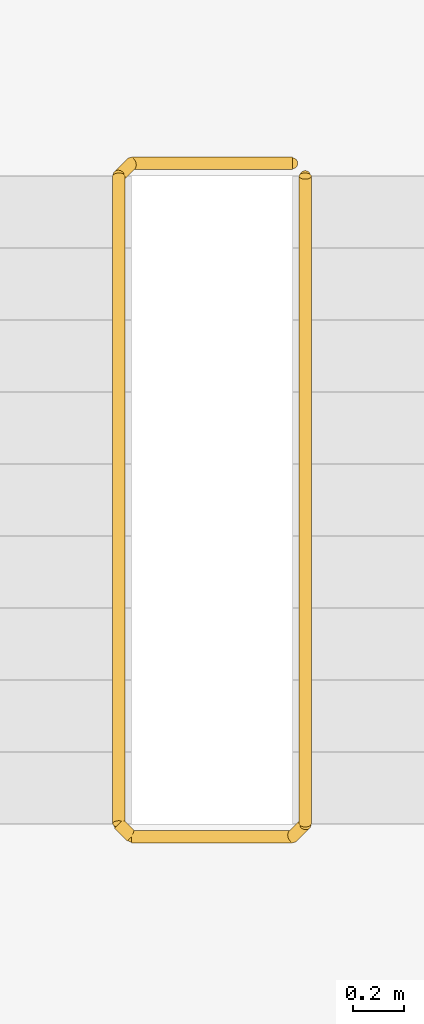
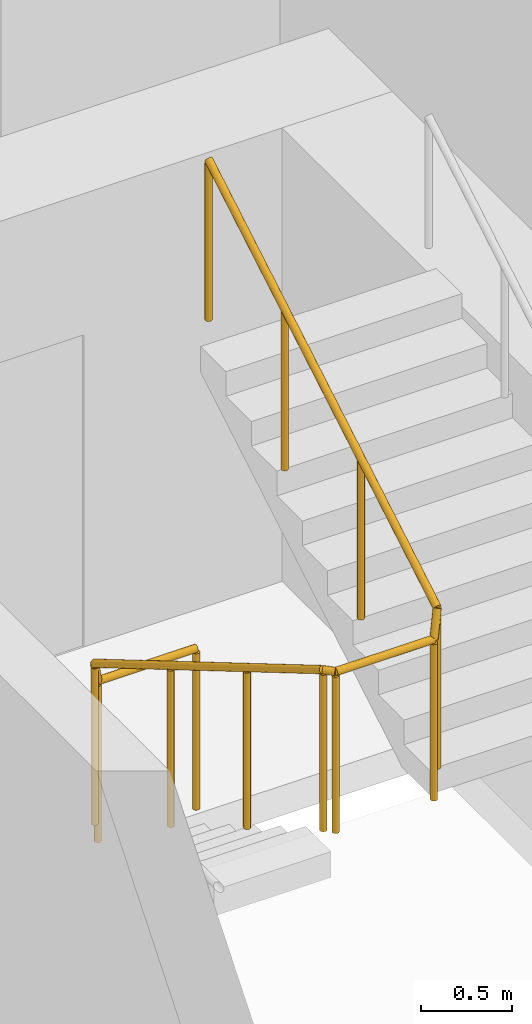
# One storey, part 10 of 11: 1 railing.
"""IFC4 building model written with IfcOpenShell, lengths in metres."""

from ifc_helpers import new_model, si_unit, direction, frame, origin, origin_2d, place, context, subcontext, project, spatial, circle, extrude, material, type_object, element, save


model = new_model("IFC4")

# Units and contexts
model_context = context("Model", 3, precision=1e-05, world=origin(), true_north=direction((0.0, 1.0)))
body_context = subcontext(model_context, "Body", "Model", "MODEL_VIEW")
ifc_project = project(units=[si_unit("LENGTHUNIT", "METRE"), si_unit("AREAUNIT", "SQUARE_METRE"), si_unit("VOLUMEUNIT", "CUBIC_METRE"), si_unit("PLANEANGLEUNIT", "RADIAN"), si_unit("MASSUNIT", "GRAM", prefix="KILO")], contexts=[model_context])

# Site, building, storey
site_placement = place(None, origin())
site = spatial("IfcSite", under=ifc_project, at=site_placement, CompositionType="ELEMENT")
building_placement = place(site_placement, origin())
building = spatial("IfcBuilding", under=site, at=building_placement, Name="Amberfall Residences", CompositionType="ELEMENT")
storey_placement = place(building_placement, frame((0.0, 0.0, 171.39990234375)))
storey = spatial("IfcBuildingStorey", under=building, at=storey_placement, Name="L46", CompositionType="ELEMENT", Elevation=171.39990234375)

# Railing
ifc_material = material(Name="Stainless steel 316", Category="steel")
railing_type = type_object("IfcRailingType", Name="Stair guard 1100", PredefinedType="GUARDRAIL", material=ifc_material)
railing_placement = place(storey_placement, frame((84.300048828125, 55.14990234375, 0.0)))
element("IfcRailing", 1, at=railing_placement, inside=storey, type_object=railing_type, Name="L46 stair 3 guard", PredefinedType="GUARDRAIL", context=body_context, shape_type="SweptSolid", body=[
    extrude(circle(Radius=0.02392578125, at=origin_2d()), frame((0.0, 0.0, 1.076171875), z_axis=(-1.0, 0.0, 0.0), x_axis=(0.0, -1.0, 0.0)), (0.0, 0.0, 1.0), 0.625),
    extrude(circle(Radius=0.02392578125, at=origin_2d()), frame((-0.625, 0.0, 1.076171875), z_axis=(-0.278810427259, -0.277450376394, 0.919394384522), x_axis=(0.705375805398, -0.708833529934, 0.0)), (0.0, 0.0, 1.0), 0.179443359375),
    extrude(circle(Radius=0.02392578125, at=origin_2d()), frame((-0.675048828125, -0.0498046875, 1.2412109375), z_axis=(0.0, -0.86152411907, 0.507716645641), x_axis=(1.0, 0.0, 0.0)), (0.0, 0.0, 1.0), 2.925048828125),
    extrude(circle(Radius=0.02392578125, at=origin_2d()), frame((-0.675048828125, -2.56982421875, 2.72607421875), z_axis=(0.707106781187, -0.707106781187, 0.0), x_axis=(0.707106781187, 0.707106781187, 0.0)), (0.0, 0.0, 1.0), 0.07080078125),
    extrude(circle(Radius=0.02392578125, at=origin_2d()), frame((-0.625, -2.619873046875, 2.72607421875), z_axis=(1.0, 0.0, 0.0), x_axis=(0.0, 1.0, 0.0)), (0.0, 0.0, 1.0), 0.625),
    extrude(circle(Radius=0.02392578125, at=origin_2d()), frame((0.0, -2.619873046875, 2.72607421875), z_axis=(0.278705021027, 0.278705021027, 0.919046801044), x_axis=(-0.707106781187, 0.707106781187, 0.0)), (0.0, 0.0, 1.0), 0.1796875),
    extrude(circle(Radius=0.02392578125, at=origin_2d()), frame((0.050048828125, -2.56982421875, 2.89111328125), z_axis=(0.0, 0.861560626758, 0.507654692109), x_axis=(-1.0, 0.0, 0.0)), (0.0, 0.0, 1.0), 2.925048828125),
    extrude(circle(Radius=0.02099609375, at=origin_2d()), origin(), (0.0, 0.0, 1.0), 1.052001953125),
    extrude(circle(Radius=0.02099609375, at=origin_2d()), frame((-0.625, 0.0, 0.0)), (0.0, 0.0, 1.0), 1.052001953125),
    extrude(circle(Radius=0.02099609375, at=origin_2d()), frame((-0.675048828125, -0.0498046875, 0.1650390625)), (0.0, 0.0, 1.0), 1.052001953125),
    extrude(circle(Radius=0.02099609375, at=origin_2d()), frame((-0.675048828125, -0.889892578125, 0.66015625)), (0.0, 0.0, 1.0), 1.052001953125),
    extrude(circle(Radius=0.02099609375, at=origin_2d()), frame((-0.675048828125, -1.729736328125, 1.155029296875)), (0.0, 0.0, 1.0), 1.052001953125),
    extrude(circle(Radius=0.02099609375, at=origin_2d()), frame((-0.675048828125, -2.56982421875, 1.650146484375)), (0.0, 0.0, 1.0), 1.052001953125),
    extrude(circle(Radius=0.02099609375, at=origin_2d()), frame((-0.625, -2.619873046875, 1.650146484375)), (0.0, 0.0, 1.0), 1.052001953125),
    extrude(circle(Radius=0.02099609375, at=origin_2d()), frame((0.0, -2.619873046875, 1.650146484375)), (0.0, 0.0, 1.0), 1.052001953125),
    extrude(circle(Radius=0.02099609375, at=origin_2d()), frame((0.050048828125, -2.56982421875, 1.815185546875)), (0.0, 0.0, 1.0), 1.052001953125),
    extrude(circle(Radius=0.02099609375, at=origin_2d()), frame((0.050048828125, -1.729736328125, 2.31005859375)), (0.0, 0.0, 1.0), 1.052001953125),
    extrude(circle(Radius=0.02099609375, at=origin_2d()), frame((0.050048828125, -0.889892578125, 2.80517578125)), (0.0, 0.0, 1.0), 1.052001953125),
    extrude(circle(Radius=0.02099609375, at=origin_2d()), frame((0.050048828125, -0.0498046875, 3.300048828125)), (0.0, 0.0, 1.0), 1.052001953125),
])

save(model, "model.ifc")
